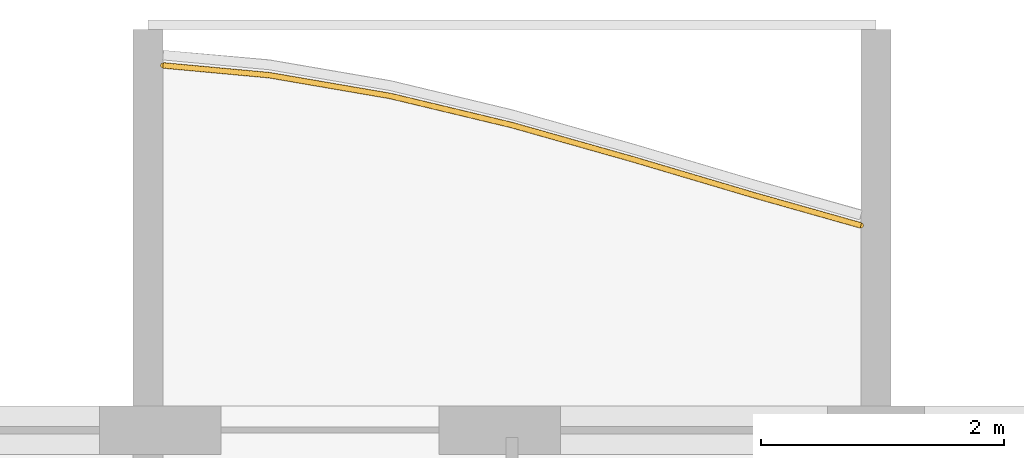
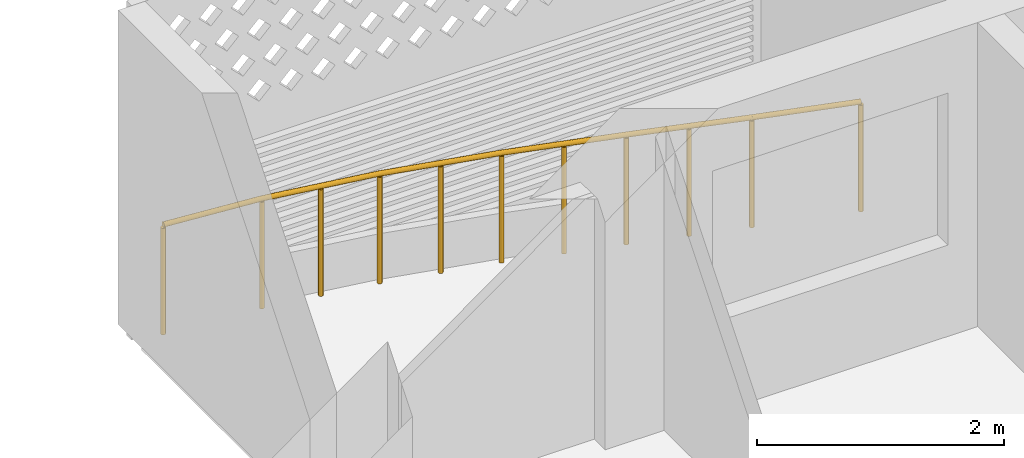
# One storey, part 24 of 27: 1 railing.
"""IFC4 building model written with IfcOpenShell, lengths in metres."""

from ifc_helpers import new_model, si_unit, direction, frame, origin, origin_2d, place, context, subcontext, project, spatial, circle, extrude, material, type_object, element, save


model = new_model("IFC4")

# Units and contexts
model_context = context("Model", 3, precision=1e-05, world=origin(), true_north=direction((0.0, 1.0)))
body_context = subcontext(model_context, "Body", "Model", "MODEL_VIEW")
ifc_project = project(units=[si_unit("LENGTHUNIT", "METRE"), si_unit("AREAUNIT", "SQUARE_METRE"), si_unit("VOLUMEUNIT", "CUBIC_METRE"), si_unit("PLANEANGLEUNIT", "RADIAN"), si_unit("MASSUNIT", "GRAM", prefix="KILO")], contexts=[model_context])

# Site, building, storey
site_placement = place(None, origin())
site = spatial("IfcSite", under=ifc_project, at=site_placement, CompositionType="ELEMENT")
building_placement = place(site_placement, origin())
building = spatial("IfcBuilding", under=site, at=building_placement, Name="Poui Terraces", CompositionType="ELEMENT")
storey_placement = place(building_placement, frame((0.0, 0.0, 208.199951171875)))
storey = spatial("IfcBuildingStorey", under=building, at=storey_placement, Name="L58", CompositionType="ELEMENT", Elevation=208.199951171875)

# Railing
ifc_material = material(Name="Painted steel fretwork", Category="steel")
railing_type = type_object("IfcRailingType", Name="BALCONY GUARD 1100", PredefinedType="GUARDRAIL", material=ifc_material)
railing_placement = place(storey_placement, frame((60.125, 44.205810546875, 0.0)))
element("IfcRailing", 1, at=railing_placement, inside=storey, type_object=railing_type, Name="BALCONY GUARD", PredefinedType="GUARDRAIL", context=body_context, shape_type="SweptSolid", body=[
    extrude(circle(Radius=0.02392578125, at=origin_2d()), frame((0.0, 0.0, 1.076171875), z_axis=(0.995787779444, -0.091688048889, 0.0), x_axis=(0.091688048889, 0.995787779444, 0.0)), (0.0, 0.0, 1.0), 0.878662109375),
    extrude(circle(Radius=0.02392578125, at=origin_2d()), frame((0.875, -0.08056640625, 1.076171875), z_axis=(0.98554889076, -0.169391215599, 0.0), x_axis=(0.169391215599, 0.98554889076, 0.0)), (0.0, 0.0, 1.0), 1.0146484375),
    extrude(circle(Radius=0.02392578125, at=origin_2d()), frame((1.875, -0.25244140625, 1.076171875), z_axis=(0.972497106951, -0.232914956523, 0.0), x_axis=(0.232914956523, 0.972497106951, 0.0)), (0.0, 0.0, 1.0), 1.0283203125),
    extrude(circle(Radius=0.02392578125, at=origin_2d()), frame((2.875, -0.491943359375, 1.076171875), z_axis=(0.962282666556, -0.272051593719, 0.0), x_axis=(0.272051593719, 0.962282666556, 0.0)), (0.0, 0.0, 1.0), 1.039306640625),
    extrude(circle(Radius=0.02392578125, at=origin_2d()), frame((3.875, -0.774658203125, 1.076171875), z_axis=(0.958710700624, -0.284383179018, 0.0), x_axis=(0.284383179018, 0.958710700624, 0.0)), (0.0, 0.0, 1.0), 1.04296875),
    extrude(circle(Radius=0.02392578125, at=origin_2d()), frame((4.875, -1.0712890625, 1.076171875), z_axis=(0.96230023717, -0.271989436455, 0.0), x_axis=(0.271989436455, 0.96230023717, 0.0)), (0.0, 0.0, 1.0), 0.9091796875),
    extrude(circle(Radius=0.02099609375, at=origin_2d()), origin(), (0.0, 0.0, 1.0), 1.052001953125),
    extrude(circle(Radius=0.02099609375, at=origin_2d()), frame((0.875, -0.08056640625, 0.0)), (0.0, 0.0, 1.0), 1.052001953125),
    extrude(circle(Radius=0.02099609375, at=origin_2d()), frame((1.375, -0.16650390625, 0.0)), (0.0, 0.0, 1.0), 1.052001953125),
    extrude(circle(Radius=0.02099609375, at=origin_2d()), frame((1.875, -0.25244140625, 0.0)), (0.0, 0.0, 1.0), 1.052001953125),
    extrude(circle(Radius=0.02099609375, at=origin_2d()), frame((2.375, -0.3720703125, 0.0)), (0.0, 0.0, 1.0), 1.052001953125),
    extrude(circle(Radius=0.02099609375, at=origin_2d()), frame((2.875, -0.491943359375, 0.0)), (0.0, 0.0, 1.0), 1.052001953125),
    extrude(circle(Radius=0.02099609375, at=origin_2d()), frame((3.375, -0.63330078125, 0.0)), (0.0, 0.0, 1.0), 1.052001953125),
    extrude(circle(Radius=0.02099609375, at=origin_2d()), frame((3.875, -0.774658203125, 0.0)), (0.0, 0.0, 1.0), 1.052001953125),
    extrude(circle(Radius=0.02099609375, at=origin_2d()), frame((4.375, -0.9228515625, 0.0)), (0.0, 0.0, 1.0), 1.052001953125),
    extrude(circle(Radius=0.02099609375, at=origin_2d()), frame((4.875, -1.0712890625, 0.0)), (0.0, 0.0, 1.0), 1.052001953125),
    extrude(circle(Radius=0.02099609375, at=origin_2d()), frame((5.75, -1.318603515625, 0.0)), (0.0, 0.0, 1.0), 1.052001953125),
])

save(model, "model.ifc")
